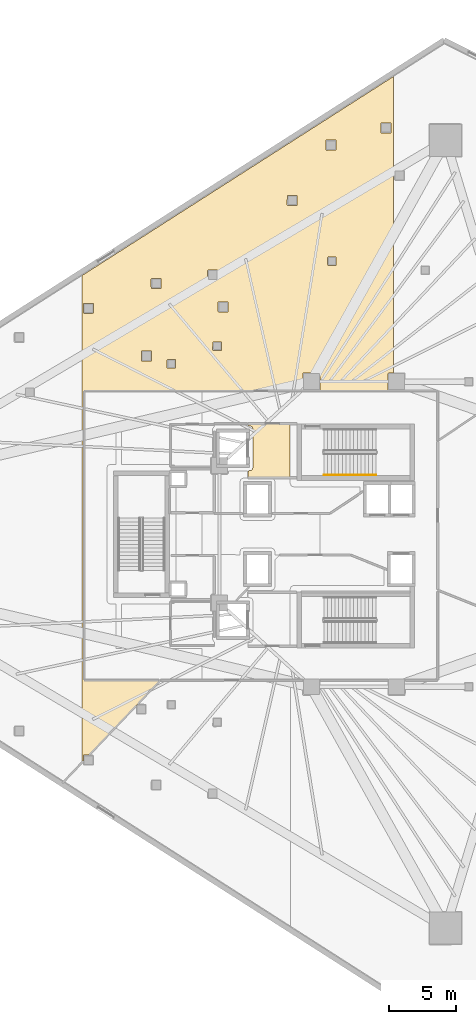
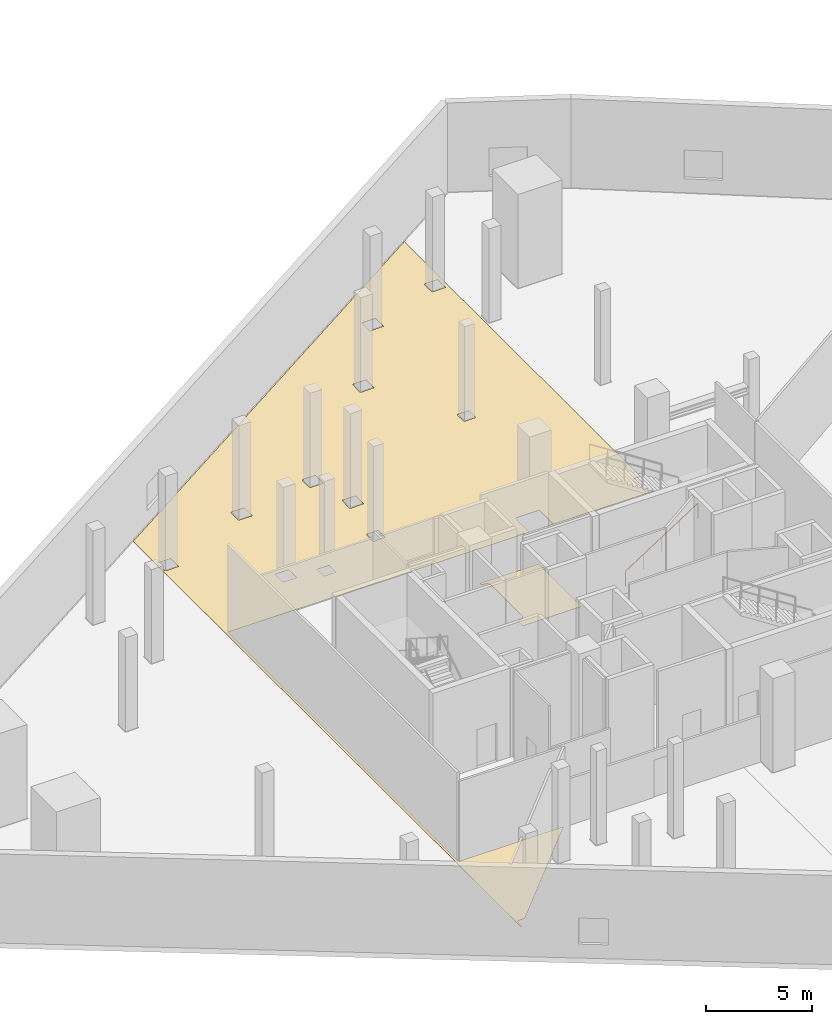
# One storey, part 34 of 36: 2 coverings, 1 railing.
"""IFC4 building model written with IfcOpenShell, lengths in metres."""

from ifc_helpers import new_model, si_unit, direction, frame, origin, origin_2d, place, context, subcontext, project, spatial, polyline, circle, outline, extrude, material, layer, layer_set, type_object, element, save


model = new_model("IFC4")

# Units and contexts
model_context = context("Model", 3, precision=1e-05, world=origin(), true_north=direction((0.0, 1.0)))
body_context = subcontext(model_context, "Body", "Model", "MODEL_VIEW")
ifc_project = project(units=[si_unit("LENGTHUNIT", "METRE"), si_unit("AREAUNIT", "SQUARE_METRE"), si_unit("VOLUMEUNIT", "CUBIC_METRE"), si_unit("PLANEANGLEUNIT", "RADIAN"), si_unit("MASSUNIT", "GRAM", prefix="KILO")], contexts=[model_context])

# Site, building, storey
site_placement = place(None, origin())
site = spatial("IfcSite", under=ifc_project, at=site_placement, CompositionType="ELEMENT")
building_placement = place(site_placement, origin())
building = spatial("IfcBuilding", under=site, at=building_placement, Name="Qorvath Tower", CompositionType="ELEMENT")
storey_placement = place(building_placement, frame((0.0, 0.0, 27.0)))
storey = spatial("IfcBuildingStorey", under=building, at=storey_placement, Name="L05", CompositionType="ELEMENT", Elevation=27.0)

# Coverings
ifc_material_1 = material(Name="Low-VOC modular carpet tile", Category="textile")
ifc_layer_1 = layer(ifc_material_1, 0.014892578125)
ifc_layer_set_1 = layer_set([ifc_layer_1], Name="COV-FLOOR-CPT")
covering_type_1 = type_object("IfcCoveringType", Name="COV-FLOOR-CPT", PredefinedType="FLOORING", material=ifc_layer_set_1)
covering_1_placement = place(storey_placement, origin())
element("IfcCovering", 1, at=covering_1_placement, inside=storey, type_object=covering_type_1, Name="L05 Floor Finish 011", PredefinedType="FLOORING", context=body_context, shape_type="SweptSolid", body=[
    extrude(outline(polyline([(-34.946533203125, -10.962890625), (-40.6630859375, -10.9580078125), (-40.66162109375, 10.761474609375), (-17.43896484375, 10.7626953125), (-17.43896484375, 10.8076171875), (-17.842529296875, 10.8076171875), (-17.860107421875, 12.050048828125), (-17.800048828125, 12.110107421875), (-17.43896484375, 12.10498046875), (-17.43896484375, 34.36083984375), (-40.801513671875, 19.428955078125), (-40.801513671875, -17.11181640625), (-40.717529296875, -17.0234375), (-40.699951171875, -16.58837890625), (-40.286376953125, -16.57080078125), (-34.946533203125, -10.962890625)]), holes=[polyline([(-18.385009765625, 30.824951171875), (-18.324951171875, 30.885009765625), (-17.632568359375, 30.867431640625), (-17.632568359375, 30.132568359375), (-18.367431640625, 30.132568359375), (-18.385009765625, 30.824951171875)]), polyline([(-22.38818359375, 20.77001953125), (-22.328125, 20.829833984375), (-21.73583984375, 20.812255859375), (-21.73583984375, 20.177490234375), (-22.37060546875, 20.177490234375), (-22.38818359375, 20.77001953125)]), polyline([(-22.516357421875, 28.880615234375), (-22.498779296875, 29.572998046875), (-21.763916015625, 29.572998046875), (-21.763916015625, 28.838134765625), (-22.456298828125, 28.820556640625), (-22.516357421875, 28.880615234375)]), polyline([(-24.260009765625, 10.85009765625), (-24.242431640625, 12.092529296875), (-22.95751953125, 12.092529296875), (-22.95751953125, 10.8076171875), (-24.199951171875, 10.7900390625), (-24.260009765625, 10.85009765625)]), polyline([(-25.422607421875, 24.73388671875), (-25.405029296875, 25.42626953125), (-24.670166015625, 25.42626953125), (-24.670166015625, 24.69140625), (-25.362548828125, 24.673828125), (-25.422607421875, 24.73388671875)]), polyline([(-30.60986328125, 16.734619140625), (-30.59228515625, 17.427001953125), (-29.857421875, 17.427001953125), (-29.857421875, 16.692138671875), (-30.5498046875, 16.674560546875), (-30.60986328125, 16.734619140625)]), polyline([(-31.01220703125, 13.849365234375), (-30.99462890625, 14.441650390625), (-30.35986328125, 14.441650390625), (-30.35986328125, 13.806884765625), (-30.9521484375, 13.789306640625), (-31.01220703125, 13.849365234375)]), polyline([(-31.401123046875, 19.785400390625), (-31.341064453125, 19.845458984375), (-30.648681640625, 19.827880859375), (-30.648681640625, 19.093017578125), (-31.383544921875, 19.093017578125), (-31.401123046875, 19.785400390625)]), polyline([(-34.439208984375, 13.0673828125), (-34.379150390625, 13.12744140625), (-33.786865234375, 13.10986328125), (-33.786865234375, 12.47509765625), (-34.421630859375, 12.47509765625), (-34.439208984375, 13.0673828125)]), polyline([(-35.63671875, 19.154296875), (-35.57666015625, 19.21435546875), (-34.88427734375, 19.19677734375), (-34.88427734375, 18.4619140625), (-35.619140625, 18.4619140625), (-35.63671875, 19.154296875)]), polyline([(-36.36572265625, 13.705810546875), (-36.3056640625, 13.765869140625), (-35.61328125, 13.748291015625), (-35.61328125, 13.013427734375), (-36.34814453125, 13.013427734375), (-36.36572265625, 13.705810546875)]), polyline([(-40.717529296875, 16.630859375), (-40.699951171875, 17.3232421875), (-39.965087890625, 17.3232421875), (-39.965087890625, 16.58837890625), (-40.657470703125, 16.57080078125), (-40.717529296875, 16.630859375)])]), origin(), (0.0, 0.0, 1.0), 0.014892578125),
])
ifc_material_2 = material(Name="Polished epoxy terrazzo flooring", Category="concrete")
ifc_layer_2 = layer(ifc_material_2, 0.02001953125)
ifc_layer_set_2 = layer_set([ifc_layer_2], Name="COV-FLOOR-TRZ")
covering_type_2 = type_object("IfcCoveringType", Name="COV-FLOOR-TRZ", PredefinedType="FLOORING", material=ifc_layer_set_2)
covering_2_placement = place(storey_placement, origin())
element("IfcCovering", 2, at=covering_2_placement, inside=storey, type_object=covering_type_2, Name="L05 Floor Finish 001", PredefinedType="FLOORING", context=body_context, shape_type="SweptSolid", body=[
    extrude(outline(polyline([(-25.18994140625, 4.2548828125), (-25.18994140625, 8.294921875), (-28.375, 8.294921875), (-28.375, 8.159912109375), (-28.063232421875, 8.086669921875), (-27.989990234375, 7.909912109375), (-27.989990234375, 4.989990234375), (-28.063232421875, 4.813232421875), (-28.375, 4.739990234375), (-28.375, 4.2548828125), (-25.18994140625, 4.2548828125)])), origin(), (0.0, 0.0, 1.0), 0.014892578125),
])

# Railing
ifc_material_3 = material(Name="Brushed stainless steel AISI 304", Category="steel")
railing_type = type_object("IfcRailingType", Name="RL-STR-HND", PredefinedType="HANDRAIL", material=ifc_material_3)
railing_placement = place(storey_placement, frame((-22.669921875, 4.449951171875, 0.179931640625)))
element("IfcRailing", 3, at=railing_placement, inside=storey, type_object=railing_type, Name="L05 TS1 stair handrail 1", PredefinedType="HANDRAIL", context=body_context, shape_type="SweptSolid", body=[
    extrude(circle(Radius=0.02392578125, at=origin_2d()), frame((0.0, 0.0, 0.8759765625), z_axis=(0.841171666519, 0.0, 0.540768182723), x_axis=(0.0, 1.0, 0.0)), (0.0, 0.0, 1.0), 4.66015625),
    extrude(circle(Radius=0.02099609375, at=origin_2d()), origin(), (0.0, 0.0, 1.0), 0.851806640625),
    extrude(circle(Radius=0.02099609375, at=origin_2d()), frame((0.97998046875, 0.0, 0.6298828125)), (0.0, 0.0, 1.0), 0.851806640625),
    extrude(circle(Radius=0.02099609375, at=origin_2d()), frame((1.9599609375, 0.0, 1.260009765625)), (0.0, 0.0, 1.0), 0.851806640625),
    extrude(circle(Radius=0.02099609375, at=origin_2d()), frame((2.93994140625, 0.0, 1.89013671875)), (0.0, 0.0, 1.0), 0.851806640625),
    extrude(circle(Radius=0.02099609375, at=origin_2d()), frame((3.919921875, 0.0, 2.52001953125)), (0.0, 0.0, 1.0), 0.851806640625),
])

save(model, "model.ifc")
